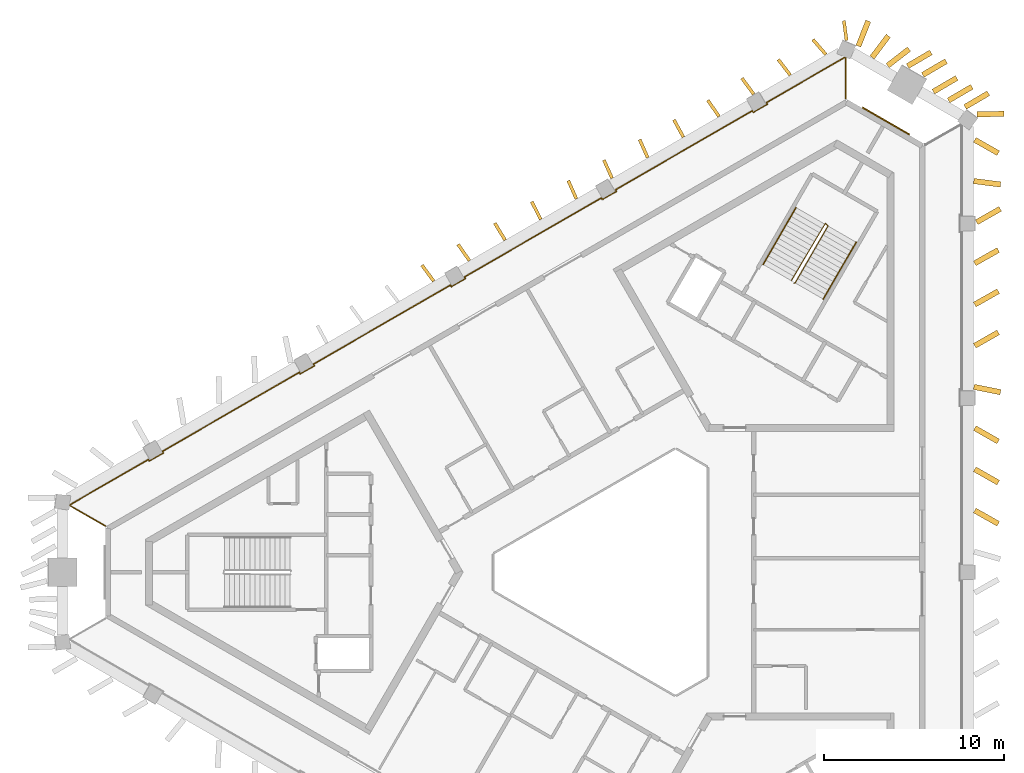
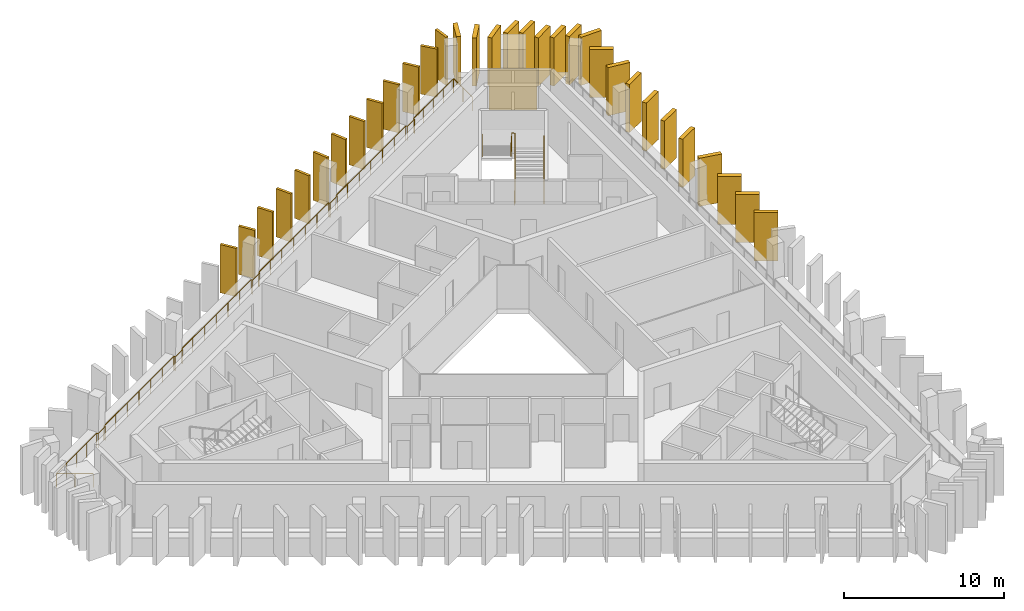
# One storey, part 9 of 9: 32 shading devices, 4 railings, 1 covering.
"""IFC4 building model written with IfcOpenShell, lengths in metres."""

from ifc_helpers import new_model, si_unit, direction, frame, frame_2d, origin, origin_2d, place, context, subcontext, project, spatial, rectangle, circle, extrude, material, layer, layer_set, type_object, element, save


model = new_model("IFC4")

# Units and contexts
model_context = context("Model", 3, precision=1e-05, world=origin(), true_north=direction((0.0, 1.0)))
body_context = subcontext(model_context, "Body", "Model", "MODEL_VIEW")
ifc_project = project(units=[si_unit("LENGTHUNIT", "METRE"), si_unit("AREAUNIT", "SQUARE_METRE"), si_unit("VOLUMEUNIT", "CUBIC_METRE"), si_unit("PLANEANGLEUNIT", "RADIAN"), si_unit("MASSUNIT", "GRAM", prefix="KILO")], contexts=[model_context])

# Site, building, storey
site_placement = place(None, origin())
site = spatial("IfcSite", under=ifc_project, at=site_placement, CompositionType="ELEMENT")
building_placement = place(site_placement, origin())
building = spatial("IfcBuilding", under=site, at=building_placement, Name="Jabali Bay Hotel Tower and Convention Centre", CompositionType="ELEMENT")
storey_placement = place(building_placement, frame((0.0, 0.0, 281.199951171875)))
storey = spatial("IfcBuildingStorey", under=building, at=storey_placement, Name="L69", CompositionType="ELEMENT", Elevation=281.199951171875)

# Railing
ifc_material_1 = material(Name="Glass", Category="glass")
railing_type_1 = type_object("IfcRailingType", Name="Loggia glass guard 1100", PredefinedType="BALUSTRADE", material=ifc_material_1)
railing_1_placement = place(storey_placement, frame((46.177978515625, 82.560546875, 0.0)))
element("IfcRailing", 1, at=railing_1_placement, inside=storey, type_object=railing_type_1, Name="Loggia glass guard L69", PredefinedType="BALUSTRADE", context=body_context, shape_type="SweptSolid", body=[
    extrude(circle(Radius=0.02490234375, at=origin_2d()), frame((0.0, 0.0, 1.0751953125), z_axis=(-0.865989003036, 0.500063042646, 0.0), x_axis=(-0.495784933994, -0.858580347067, 0.13052619222)), (0.0, 0.0, 1.0), 2.275146484375),
    extrude(circle(Radius=0.02490234375, at=origin_2d()), frame((-1.97021484375, 1.1376953125, 1.0751953125), z_axis=(0.124843395554, 0.9921764594, 0.0), x_axis=(-0.983688252248, 0.123775342998, 0.13052619222)), (0.0, 0.0, 1.0), 0.037109375),
    extrude(circle(Radius=0.02490234375, at=origin_2d()), frame((-1.965576171875, 1.174560546875, 1.0751953125), z_axis=(0.866030183273, 0.499991721592, 0.0), x_axis=(-0.495714223102, 0.858621175, 0.13052619222)), (0.0, 0.0, 1.0), 5.02294921875),
    extrude(circle(Radius=0.02490234375, at=origin_2d()), frame((2.384521484375, 3.68603515625, 1.0751953125), z_axis=(0.501132629342, -0.865370491644, 0.0), x_axis=(0.857967127125, 0.496845370228, 0.13052619222)), (0.0, 0.0, 1.0), 0.099853515625),
    extrude(circle(Radius=0.02490234375, at=origin_2d()), frame((2.4345703125, 3.599609375, 1.0751953125), z_axis=(0.866013897511, 0.50001992892, 0.0), x_axis=(-0.495742189112, 0.858605028566, 0.13052619222)), (0.0, 0.0, 1.0), 0.89990234375),
    extrude(circle(Radius=0.02490234375, at=origin_2d()), frame((3.2138671875, 4.049560546875, 1.0751953125), z_axis=(-0.4982416694, 0.867038199201, 0.0), x_axis=(-0.859620567213, -0.493979142849, 0.13052619222)), (0.0, 0.0, 1.0), 0.099853515625),
    extrude(circle(Radius=0.02490234375, at=origin_2d()), frame((3.1640625, 4.13623046875, 1.0751953125), z_axis=(0.86602919656, 0.499993430662, 0.0), x_axis=(-0.495715917551, 0.858620196729, 0.13052619222)), (0.0, 0.0, 1.0), 8.7607421875),
    extrude(circle(Radius=0.02490234375, at=origin_2d()), frame((10.751220703125, 8.5166015625, 1.0751953125), z_axis=(0.501132629342, -0.865370491644, 0.0), x_axis=(0.857967127125, 0.496845370228, 0.13052619222)), (0.0, 0.0, 1.0), 0.099853515625),
    extrude(circle(Radius=0.02490234375, at=origin_2d()), frame((10.80126953125, 8.43017578125, 1.0751953125), z_axis=(0.866081705922, 0.499902469156, 0.0), x_axis=(-0.495625734232, 0.858672256866, 0.13052619222)), (0.0, 0.0, 1.0), 0.900146484375),
    extrude(circle(Radius=0.02490234375, at=origin_2d()), frame((11.580810546875, 8.880126953125, 1.0751953125), z_axis=(-0.500074377092, 0.865982457891, 0.0), x_axis=(-0.858573857916, -0.495796171473, 0.13052619222)), (0.0, 0.0, 1.0), 0.10009765625),
    extrude(circle(Radius=0.02490234375, at=origin_2d()), frame((11.53076171875, 8.966796875, 1.0751953125), z_axis=(0.86602919656, 0.499993430662, 0.0), x_axis=(-0.495715917551, 0.858620196729, 0.13052619222)), (0.0, 0.0, 1.0), 8.7607421875),
    extrude(circle(Radius=0.02490234375, at=origin_2d()), frame((19.117919921875, 13.34716796875, 1.0751953125), z_axis=(0.501132629342, -0.865370491644, 0.0), x_axis=(0.857967127125, 0.496845370228, 0.13052619222)), (0.0, 0.0, 1.0), 0.099853515625),
    extrude(circle(Radius=0.02490234375, at=origin_2d()), frame((19.16796875, 13.2607421875, 1.0751953125), z_axis=(0.866081705922, 0.499902469156, 0.0), x_axis=(-0.495625734232, 0.858672256866, 0.13052619222)), (0.0, 0.0, 1.0), 0.900146484375),
    extrude(circle(Radius=0.02490234375, at=origin_2d()), frame((19.947509765625, 13.710693359375, 1.0751953125), z_axis=(-0.501132629342, 0.865370491644, 0.0), x_axis=(-0.857967127125, -0.496845370228, 0.13052619222)), (0.0, 0.0, 1.0), 0.099853515625),
    extrude(circle(Radius=0.02490234375, at=origin_2d()), frame((19.8974609375, 13.797119140625, 1.0751953125), z_axis=(0.866024096579, 0.500002264139, 0.0), x_axis=(-0.495724675456, 0.858615140379, 0.13052619222)), (0.0, 0.0, 1.0), 8.76123046875),
    extrude(circle(Radius=0.02490234375, at=origin_2d()), frame((27.48486328125, 18.177734375, 1.0751953125), z_axis=(0.4982416694, -0.867038199201, 0.0), x_axis=(0.859620567213, 0.493979142849, 0.13052619222)), (0.0, 0.0, 1.0), 0.099853515625),
    extrude(circle(Radius=0.02490234375, at=origin_2d()), frame((27.53466796875, 18.091064453125, 1.0751953125), z_axis=(0.865964261186, 0.500105887137, 0.0), x_axis=(-0.495827411944, 0.858555816886, 0.13052619222)), (0.0, 0.0, 1.0), 0.900146484375),
    extrude(circle(Radius=0.02490234375, at=origin_2d()), frame((28.314208984375, 18.541259765625, 1.0751953125), z_axis=(-0.501132629342, 0.865370491644, 0.0), x_axis=(-0.857967127125, -0.496845370228, 0.13052619222)), (0.0, 0.0, 1.0), 0.099853515625),
    extrude(circle(Radius=0.02490234375, at=origin_2d()), frame((28.26416015625, 18.627685546875, 1.0751953125), z_axis=(0.866024096579, 0.500002264139, 0.0), x_axis=(-0.495724675456, 0.858615140379, 0.13052619222)), (0.0, 0.0, 1.0), 8.76123046875),
    extrude(circle(Radius=0.02490234375, at=origin_2d()), frame((35.8515625, 23.00830078125, 1.0751953125), z_axis=(0.500074377092, -0.865982457891, 0.0), x_axis=(0.858573857916, 0.495796171473, 0.13052619222)), (0.0, 0.0, 1.0), 0.10009765625),
    extrude(circle(Radius=0.02490234375, at=origin_2d()), frame((35.901611328125, 22.921630859375, 1.0751953125), z_axis=(0.865896406789, 0.500223362819, 0.0), x_axis=(-0.495943882606, 0.858488542993, 0.13052619222)), (0.0, 0.0, 1.0), 0.89990234375),
    extrude(circle(Radius=0.02490234375, at=origin_2d()), frame((36.680908203125, 23.371826171875, 1.0751953125), z_axis=(-0.501132629342, 0.865370491644, 0.0), x_axis=(-0.857967127125, -0.496845370228, 0.13052619222)), (0.0, 0.0, 1.0), 0.099853515625),
    extrude(circle(Radius=0.02490234375, at=origin_2d()), frame((36.630859375, 23.458251953125, 1.0751953125), z_axis=(0.866030183273, 0.499991721592, 0.0), x_axis=(-0.495714223102, 0.858621175, 0.13052619222)), (0.0, 0.0, 1.0), 5.02294921875),
    extrude(circle(Radius=0.02490234375, at=origin_2d()), frame((40.98095703125, 25.9697265625, 1.0751953125), z_axis=(0.922495174035, -0.386008618922, 0.0), x_axis=(0.382706261677, 0.914603099939, 0.13052619222)), (0.0, 0.0, 1.0), 0.037353515625),
    extrude(circle(Radius=0.02490234375, at=origin_2d()), frame((41.015380859375, 25.955322265625, 1.0751953125), z_axis=(0.0, -1.0, 0.0), x_axis=(0.991444861374, 0.0, 0.13052619222)), (0.0, 0.0, 1.0), 2.275146484375),
    extrude(circle(Radius=0.02001953125, at=origin_2d()), origin(), (0.0, 0.0, 1.0), 1.050048828125),
    extrude(circle(Radius=0.02001953125, at=origin_2d()), frame((-0.985107421875, 0.56884765625, 0.0)), (0.0, 0.0, 1.0), 1.050048828125),
    extrude(circle(Radius=0.02001953125, at=origin_2d()), frame((-1.97021484375, 1.1376953125, 0.0)), (0.0, 0.0, 1.0), 1.050048828125),
    extrude(circle(Radius=0.02001953125, at=origin_2d()), frame((-1.965576171875, 1.174560546875, 0.0)), (0.0, 0.0, 1.0), 1.050048828125),
    extrude(circle(Radius=0.02001953125, at=origin_2d()), frame((-0.8779296875, 1.802490234375, 0.0)), (0.0, 0.0, 1.0), 1.050048828125),
    extrude(circle(Radius=0.02001953125, at=origin_2d()), frame((0.20947265625, 2.43017578125, 0.0)), (0.0, 0.0, 1.0), 1.050048828125),
    extrude(circle(Radius=0.02001953125, at=origin_2d()), frame((1.296875, 3.05810546875, 0.0)), (0.0, 0.0, 1.0), 1.050048828125),
    extrude(circle(Radius=0.02001953125, at=origin_2d()), frame((2.384521484375, 3.68603515625, 0.0)), (0.0, 0.0, 1.0), 1.050048828125),
    extrude(circle(Radius=0.02001953125, at=origin_2d()), frame((2.4345703125, 3.599609375, 0.0)), (0.0, 0.0, 1.0), 1.050048828125),
    extrude(circle(Radius=0.02001953125, at=origin_2d()), frame((3.2138671875, 4.049560546875, 0.0)), (0.0, 0.0, 1.0), 1.050048828125),
    extrude(circle(Radius=0.02001953125, at=origin_2d()), frame((3.1640625, 4.13623046875, 0.0)), (0.0, 0.0, 1.0), 1.050048828125),
    extrude(circle(Radius=0.02001953125, at=origin_2d()), frame((4.4287109375, 4.8662109375, 0.0)), (0.0, 0.0, 1.0), 1.050048828125),
    extrude(circle(Radius=0.02001953125, at=origin_2d()), frame((5.693115234375, 5.596435546875, 0.0)), (0.0, 0.0, 1.0), 1.050048828125),
    extrude(circle(Radius=0.02001953125, at=origin_2d()), frame((6.95751953125, 6.326416015625, 0.0)), (0.0, 0.0, 1.0), 1.050048828125),
    extrude(circle(Radius=0.02001953125, at=origin_2d()), frame((8.22216796875, 7.056396484375, 0.0)), (0.0, 0.0, 1.0), 1.050048828125),
    extrude(circle(Radius=0.02001953125, at=origin_2d()), frame((9.48681640625, 7.78662109375, 0.0)), (0.0, 0.0, 1.0), 1.050048828125),
    extrude(circle(Radius=0.02001953125, at=origin_2d()), frame((10.751220703125, 8.5166015625, 0.0)), (0.0, 0.0, 1.0), 1.050048828125),
    extrude(circle(Radius=0.02001953125, at=origin_2d()), frame((10.80126953125, 8.43017578125, 0.0)), (0.0, 0.0, 1.0), 1.050048828125),
    extrude(circle(Radius=0.02001953125, at=origin_2d()), frame((11.580810546875, 8.880126953125, 0.0)), (0.0, 0.0, 1.0), 1.050048828125),
    extrude(circle(Radius=0.02001953125, at=origin_2d()), frame((11.53076171875, 8.966796875, 0.0)), (0.0, 0.0, 1.0), 1.050048828125),
    extrude(circle(Radius=0.02001953125, at=origin_2d()), frame((12.79541015625, 9.69677734375, 0.0)), (0.0, 0.0, 1.0), 1.050048828125),
    extrude(circle(Radius=0.02001953125, at=origin_2d()), frame((14.059814453125, 10.427001953125, 0.0)), (0.0, 0.0, 1.0), 1.050048828125),
    extrude(circle(Radius=0.02001953125, at=origin_2d()), frame((15.32421875, 11.156982421875, 0.0)), (0.0, 0.0, 1.0), 1.050048828125),
    extrude(circle(Radius=0.02001953125, at=origin_2d()), frame((16.5888671875, 11.886962890625, 0.0)), (0.0, 0.0, 1.0), 1.050048828125),
    extrude(circle(Radius=0.02001953125, at=origin_2d()), frame((17.853515625, 12.6171875, 0.0)), (0.0, 0.0, 1.0), 1.050048828125),
    extrude(circle(Radius=0.02001953125, at=origin_2d()), frame((19.117919921875, 13.34716796875, 0.0)), (0.0, 0.0, 1.0), 1.050048828125),
    extrude(circle(Radius=0.02001953125, at=origin_2d()), frame((19.16796875, 13.2607421875, 0.0)), (0.0, 0.0, 1.0), 1.050048828125),
    extrude(circle(Radius=0.02001953125, at=origin_2d()), frame((19.947509765625, 13.710693359375, 0.0)), (0.0, 0.0, 1.0), 1.050048828125),
    extrude(circle(Radius=0.02001953125, at=origin_2d()), frame((19.8974609375, 13.797119140625, 0.0)), (0.0, 0.0, 1.0), 1.050048828125),
    extrude(circle(Radius=0.02001953125, at=origin_2d()), frame((21.162109375, 14.52734375, 0.0)), (0.0, 0.0, 1.0), 1.050048828125),
    extrude(circle(Radius=0.02001953125, at=origin_2d()), frame((22.426513671875, 15.25732421875, 0.0)), (0.0, 0.0, 1.0), 1.050048828125),
    extrude(circle(Radius=0.02001953125, at=origin_2d()), frame((23.691162109375, 15.9873046875, 0.0)), (0.0, 0.0, 1.0), 1.050048828125),
    extrude(circle(Radius=0.02001953125, at=origin_2d()), frame((24.955810546875, 16.717529296875, 0.0)), (0.0, 0.0, 1.0), 1.050048828125),
    extrude(circle(Radius=0.02001953125, at=origin_2d()), frame((26.22021484375, 17.44775390625, 0.0)), (0.0, 0.0, 1.0), 1.050048828125),
    extrude(circle(Radius=0.02001953125, at=origin_2d()), frame((27.48486328125, 18.177734375, 0.0)), (0.0, 0.0, 1.0), 1.050048828125),
    extrude(circle(Radius=0.02001953125, at=origin_2d()), frame((27.53466796875, 18.091064453125, 0.0)), (0.0, 0.0, 1.0), 1.050048828125),
    extrude(circle(Radius=0.02001953125, at=origin_2d()), frame((28.314208984375, 18.541259765625, 0.0)), (0.0, 0.0, 1.0), 1.050048828125),
    extrude(circle(Radius=0.02001953125, at=origin_2d()), frame((28.26416015625, 18.627685546875, 0.0)), (0.0, 0.0, 1.0), 1.050048828125),
    extrude(circle(Radius=0.02001953125, at=origin_2d()), frame((29.52880859375, 19.35791015625, 0.0)), (0.0, 0.0, 1.0), 1.050048828125),
    extrude(circle(Radius=0.02001953125, at=origin_2d()), frame((30.793212890625, 20.087890625, 0.0)), (0.0, 0.0, 1.0), 1.050048828125),
    extrude(circle(Radius=0.02001953125, at=origin_2d()), frame((32.057861328125, 20.81787109375, 0.0)), (0.0, 0.0, 1.0), 1.050048828125),
    extrude(circle(Radius=0.02001953125, at=origin_2d()), frame((33.322509765625, 21.548095703125, 0.0)), (0.0, 0.0, 1.0), 1.050048828125),
    extrude(circle(Radius=0.02001953125, at=origin_2d()), frame((34.5869140625, 22.2783203125, 0.0)), (0.0, 0.0, 1.0), 1.050048828125),
    extrude(circle(Radius=0.02001953125, at=origin_2d()), frame((35.8515625, 23.00830078125, 0.0)), (0.0, 0.0, 1.0), 1.050048828125),
    extrude(circle(Radius=0.02001953125, at=origin_2d()), frame((35.901611328125, 22.921630859375, 0.0)), (0.0, 0.0, 1.0), 1.050048828125),
    extrude(circle(Radius=0.02001953125, at=origin_2d()), frame((36.680908203125, 23.371826171875, 0.0)), (0.0, 0.0, 1.0), 1.050048828125),
    extrude(circle(Radius=0.02001953125, at=origin_2d()), frame((36.630859375, 23.458251953125, 0.0)), (0.0, 0.0, 1.0), 1.050048828125),
    extrude(circle(Radius=0.02001953125, at=origin_2d()), frame((37.71826171875, 24.086181640625, 0.0)), (0.0, 0.0, 1.0), 1.050048828125),
    extrude(circle(Radius=0.02001953125, at=origin_2d()), frame((38.805908203125, 24.7138671875, 0.0)), (0.0, 0.0, 1.0), 1.050048828125),
    extrude(circle(Radius=0.02001953125, at=origin_2d()), frame((39.8935546875, 25.341796875, 0.0)), (0.0, 0.0, 1.0), 1.050048828125),
    extrude(circle(Radius=0.02001953125, at=origin_2d()), frame((40.98095703125, 25.9697265625, 0.0)), (0.0, 0.0, 1.0), 1.050048828125),
    extrude(circle(Radius=0.02001953125, at=origin_2d()), frame((41.015380859375, 25.955322265625, 0.0)), (0.0, 0.0, 1.0), 1.050048828125),
    extrude(circle(Radius=0.02001953125, at=origin_2d()), frame((41.015380859375, 24.81787109375, 0.0)), (0.0, 0.0, 1.0), 1.050048828125),
    extrude(circle(Radius=0.02001953125, at=origin_2d()), frame((41.015380859375, 23.68017578125, 0.0)), (0.0, 0.0, 1.0), 1.050048828125),
])

# Shading devices
ifc_material_2 = material(Name="Precast concrete C60", Category="concrete")
ifc_layer_1 = layer(ifc_material_2, 0.179931640625)
ifc_layer_set_1 = layer_set([ifc_layer_1], Name="Precast concrete C60")
shading_device_type_1 = type_object("IfcShadingDeviceType", Name="Precast fin 3680 x 1100", PredefinedType="USERDEFINED", material=ifc_layer_set_1)
for number, where, z_axis, x_axis, name in (
    (2, (86.100830078125, 108.680908203125, 0.010009765625), (0.0, 0.0, 1.0), (-0.655403592265, 0.755278843372, 0.0), "Fin L69 030"),
    (3, (84.1279296875, 107.53564453125, 0.010009765625), (0.0, 0.0, 1.0), (-0.607853662024, 0.794049069997, 0.0), "Fin L69 031"),
    (4, (82.09912109375, 106.486572265625, 0.010009765625), (0.0, 0.0, 1.0), (-0.593267174379, 0.805005627188, 0.0), "Fin L69 032"),
):
    element("IfcShadingDevice", number, at=place(storey_placement, frame(where, z_axis=z_axis, x_axis=x_axis)), inside=storey, type_object=shading_device_type_1, Name=name, ObjectType="FIN", PredefinedType="USERDEFINED", context=body_context, shape_type="SweptSolid", body=[
        extrude(rectangle(XDim=1.10009765625, YDim=0.179931640625, at=frame_2d((0.550048828125, 0.0))), origin(), (0.0, 0.0, 1.0), 3.679931640625),
    ])
for number, where, z_axis, x_axis, name in (
    (5, (80.178466796875, 105.25048828125, 0.010009765625), (0.0, 0.0, 1.0), (-0.568655842982, 0.822575548045, 0.0), "Fin L69 033"),
    (6, (78.20556640625, 104.105224609375, 0.010009765625), (0.0, 0.0, 1.0), (-0.480981226833, 0.876730893396, 0.0), "Fin L69 034"),
):
    element("IfcShadingDevice", number, at=place(storey_placement, frame(where, z_axis=z_axis, x_axis=x_axis)), inside=storey, type_object=shading_device_type_1, Name=name, ObjectType="FIN", PredefinedType="USERDEFINED", context=body_context, shape_type="SweptSolid", body=[
        extrude(rectangle(XDim=1.099853515625, YDim=0.179931640625, at=frame_2d((0.5498046875, 0.0))), origin(), (0.0, 0.0, 1.0), 3.679931640625),
    ])
shading_device_1_placement = place(storey_placement, frame((76.22607421875, 102.970947265625, 0.010009765625), z_axis=(0.0, 0.0, 1.0), x_axis=(-0.407270764725, 0.91330746422, 0.0)))
element("IfcShadingDevice", 7, at=shading_device_1_placement, inside=storey, type_object=shading_device_type_1, Name="Fin L69 035", ObjectType="FIN", PredefinedType="USERDEFINED", context=body_context, shape_type="SweptSolid", body=[
    extrude(rectangle(XDim=1.10009765625, YDim=0.179931640625, at=frame_2d((0.550048828125, 0.0))), origin(), (0.0, 0.0, 1.0), 3.679931640625),
])
shading_device_2_placement = place(storey_placement, frame((74.25048828125, 101.830322265625, 0.010009765625), z_axis=(0.0, 0.0, 1.0), x_axis=(-0.407538464917, 0.91318804176, 0.0)))
element("IfcShadingDevice", 8, at=shading_device_2_placement, inside=storey, type_object=shading_device_type_1, Name="Fin L69 036", ObjectType="FIN", PredefinedType="USERDEFINED", context=body_context, shape_type="SweptSolid", body=[
    extrude(rectangle(XDim=1.099853515625, YDim=0.179931640625, at=frame_2d((0.5498046875, 0.0))), origin(), (0.0, 0.0, 1.0), 3.679931640625),
])
shading_device_3_placement = place(storey_placement, frame((72.27490234375, 100.689453125, 0.010009765625), z_axis=(0.0, 0.0, 1.0), x_axis=(-0.407640928047, 0.913142307519, 0.0)))
element("IfcShadingDevice", 9, at=shading_device_3_placement, inside=storey, type_object=shading_device_type_1, Name="Fin L69 037", ObjectType="FIN", PredefinedType="USERDEFINED", context=body_context, shape_type="SweptSolid", body=[
    extrude(rectangle(XDim=1.10009765625, YDim=0.179931640625, at=frame_2d((0.550048828125, 0.0))), origin(), (0.0, 0.0, 1.0), 3.679931640625),
])
for number, where, z_axis, x_axis, name in (
    (10, (70.30126953125, 99.545166015625, 0.010009765625), (0.0, 0.0, 1.0), (-0.451912983689, 0.892062024286, 0.0), "Fin L69 038"),
    (11, (68.326904296875, 98.40185546875, 0.010009765625), (0.0, 0.0, 1.0), (-0.520066650422, 0.854125681103, 0.0), "Fin L69 039"),
):
    element("IfcShadingDevice", number, at=place(storey_placement, frame(where, z_axis=z_axis, x_axis=x_axis)), inside=storey, type_object=shading_device_type_1, Name=name, ObjectType="FIN", PredefinedType="USERDEFINED", context=body_context, shape_type="SweptSolid", body=[
        extrude(rectangle(XDim=1.099853515625, YDim=0.179931640625, at=frame_2d((0.5498046875, 0.0))), origin(), (0.0, 0.0, 1.0), 3.679931640625),
    ])
for number, where, z_axis, x_axis, name in (
    (12, (66.348388671875, 97.266357421875, 0.010009765625), (0.0, 0.0, 1.0), (-0.574817014027, 0.818281980973, 0.0), "Fin L69 040"),
    (13, (64.37158203125, 96.12744140625, 0.010009765625), (0.0, 0.0, 1.0), (-0.593267174379, 0.805005627188, 0.0), "Fin L69 041"),
):
    element("IfcShadingDevice", number, at=place(storey_placement, frame(where, z_axis=z_axis, x_axis=x_axis)), inside=storey, type_object=shading_device_type_1, Name=name, ObjectType="FIN", PredefinedType="USERDEFINED", context=body_context, shape_type="SweptSolid", body=[
        extrude(rectangle(XDim=1.10009765625, YDim=0.179931640625, at=frame_2d((0.550048828125, 0.0))), origin(), (0.0, 0.0, 1.0), 3.679931640625),
    ])
shading_device_4_placement = place(storey_placement, frame((87.243408203125, 109.466796875, 0.010009765625), z_axis=(0.0, 0.0, 1.0), x_axis=(-0.133805989812, 0.991007546435, 0.0)))
element("IfcShadingDevice", 14, at=shading_device_4_placement, inside=storey, type_object=shading_device_type_1, Name="Fin L69 092", ObjectType="FIN", PredefinedType="USERDEFINED", context=body_context, shape_type="SweptSolid", body=[
    extrude(rectangle(XDim=1.100341796875, YDim=0.179931640625, at=frame_2d((0.55029296875, 0.0))), origin(), (0.0, 0.0, 1.0), 3.679931640625),
])
ifc_layer_2 = layer(ifc_material_2, 0.300048828125)
ifc_layer_set_2 = layer_set([ifc_layer_2], Name="Precast concrete C60")
shading_device_type_2 = type_object("IfcShadingDeviceType", Name="Precast fin 3680 x 1500", PredefinedType="USERDEFINED", material=ifc_layer_set_2)
for number, where, z_axis, x_axis, name in (
    (15, (94.344970703125, 83.422119140625, 0.010009765625), (0.0, 0.0, 1.0), (0.86976143765, -0.493472432439, 0.0), "Fin L69 012"),
    (16, (94.344970703125, 85.703369140625, 0.010009765625), (0.0, 0.0, 1.0), (0.869831289423, -0.493349296078, 0.0), "Fin L69 013"),
    (17, (94.344970703125, 87.984619140625, 0.010009765625), (0.0, 0.0, 1.0), (0.869831289423, -0.493349296078, 0.0), "Fin L69 014"),
):
    element("IfcShadingDevice", number, at=place(storey_placement, frame(where, z_axis=z_axis, x_axis=x_axis)), inside=storey, type_object=shading_device_type_2, Name=name, ObjectType="FIN", PredefinedType="USERDEFINED", context=body_context, shape_type="SweptSolid", body=[
        extrude(rectangle(XDim=1.5, YDim=0.300048828125, at=frame_2d((0.75, 0.0))), origin(), (0.0, 0.0, 1.0), 3.679931640625),
    ])
shading_device_5_placement = place(storey_placement, frame((94.30029296875, 90.26611328125, 0.010009765625), z_axis=(0.0, 0.0, 1.0), x_axis=(0.980549365746, -0.196272619932, 0.0)))
element("IfcShadingDevice", 18, at=shading_device_5_placement, inside=storey, type_object=shading_device_type_2, Name="Fin L69 015", ObjectType="FIN", PredefinedType="USERDEFINED", context=body_context, shape_type="SweptSolid", body=[
    extrude(rectangle(XDim=1.500244140625, YDim=0.300048828125, at=frame_2d((0.75, 0.0))), origin(), (0.0, 0.0, 1.0), 3.679931640625),
])
for number, where, z_axis, x_axis, name in (
    (19, (94.344970703125, 92.54736328125, 0.010009765625), (0.0, 0.0, 1.0), (0.869831289423, 0.493349296078, 0.0), "Fin L69 016"),
    (20, (94.344970703125, 94.82861328125, 0.010009765625), (0.0, 0.0, 1.0), (0.869831289423, 0.493349296078, 0.0), "Fin L69 017"),
    (21, (94.344970703125, 97.110107421875, 0.010009765625), (0.0, 0.0, 1.0), (0.869831289423, 0.493349296078, 0.0), "Fin L69 018"),
    (22, (94.452392578125, 99.391357421875, 0.010009765625), (0.0, 0.0, 1.0), (0.869831289423, 0.493349296078, 0.0), "Fin L69 019"),
    (23, (94.290283203125, 101.672607421875, 0.010009765625), (0.0, 0.0, 1.0), (0.991740506295, -0.128260547999, 0.0), "Fin L69 020"),
    (24, (94.3447265625, 103.9541015625, 0.010009765625), (0.0, 0.0, 1.0), (0.870477944406, -0.492207424062, 0.0), "Fin L69 021"),
    (25, (93.810546875, 105.77587890625, 0.010009765625), (0.0, 0.0, 1.0), (0.862210257959, 0.506550561218, 0.0), "Fin L69 022"),
    (26, (92.89599609375, 106.13623046875, 0.010009765625), (0.0, 0.0, 1.0), (0.862139163582, 0.506671552998, 0.0), "Fin L69 023"),
    (27, (92.05419921875, 106.622314453125, 0.010009765625), (0.0, 0.0, 1.0), (0.862139163582, 0.506671552998, 0.0), "Fin L69 024"),
    (28, (91.46875, 107.552490234375, 0.010009765625), (0.0, 0.0, 1.0), (0.862210257959, 0.506550561218, 0.0), "Fin L69 025"),
    (29, (90.626708984375, 108.03857421875, 0.010009765625), (0.0, 0.0, 1.0), (0.862210257959, 0.506550561218, 0.0), "Fin L69 026"),
    (30, (89.52001953125, 108.065673828125, 0.010009765625), (0.0, 0.0, 1.0), (0.790866011316, 0.611989339895, 0.0), "Fin L69 027"),
    (31, (88.65869140625, 108.518310546875, 0.010009765625), (0.0, 0.0, 1.0), (0.601561352614, 0.798826601361, 0.0), "Fin L69 028"),
    (32, (87.897705078125, 109.14453125, 0.010009765625), (0.0, 0.0, 1.0), (0.368329862362, 0.929695171813, 0.0), "Fin L69 029"),
    (33, (94.4658203125, 105.3759765625, 0.010009765625), (0.0, 0.0, 1.0), (0.999942307697, 0.010741567758, 0.0), "Fin L69 091"),
):
    element("IfcShadingDevice", number, at=place(storey_placement, frame(where, z_axis=z_axis, x_axis=x_axis)), inside=storey, type_object=shading_device_type_2, Name=name, ObjectType="FIN", PredefinedType="USERDEFINED", context=body_context, shape_type="SweptSolid", body=[
        extrude(rectangle(XDim=1.5, YDim=0.300048828125, at=frame_2d((0.75, 0.0))), origin(), (0.0, 0.0, 1.0), 3.679931640625),
    ])

# Covering
ifc_material_3 = material(Name="Precast concrete C40/50", Category="concrete")
ifc_layer_3 = layer(ifc_material_3, 0.080078125)
ifc_layer_set_3 = layer_set([ifc_layer_3], Name="Precast concrete C40/50")
covering_type = type_object("IfcCoveringType", Name="Relief panel 3000 x 3100", PredefinedType="CLADDING", material=ifc_layer_set_3)
covering_placement = place(storey_placement, frame((89.430908203125, 104.9951171875, 0.10009765625), z_axis=(0.0, 0.0, 1.0), x_axis=(0.866025409055, -0.499999990871, 0.0)))
element("IfcCovering", 34, at=covering_placement, inside=storey, type_object=covering_type, Name="Relief panel L69", PredefinedType="CLADDING", context=body_context, shape_type="SweptSolid", body=[
    extrude(rectangle(XDim=3.0, YDim=0.080078125, at=origin_2d()), origin(), (0.0, 0.0, 1.0), 3.10009765625),
])

# Railings
ifc_material_4 = material(Name="Steel Q355B", Category="steel")
railing_type_2 = type_object("IfcRailingType", Name="Stair guard 1100", PredefinedType="GUARDRAIL", material=ifc_material_4)
railing_2_placement = place(storey_placement, frame((84.329833984375, 96.010009765625, 0.0)))
element("IfcRailing", 35, at=railing_2_placement, inside=storey, type_object=railing_type_2, Name="L69 ST2 stair guard 1", PredefinedType="GUARDRAIL", context=body_context, shape_type="SweptSolid", body=[
    extrude(circle(Radius=0.02392578125, at=origin_2d()), frame((0.0, 0.0, 1.076171875), z_axis=(0.456201556387, 0.122196845461, 0.881446578591), x_axis=(-0.258736085224, 0.965948051503, 0.0)), (0.0, 0.0, 1.0), 0.14990234375),
    extrude(circle(Radius=0.02392578125, at=origin_2d()), frame((0.068359375, 0.018310546875, 1.2080078125), z_axis=(0.45217862506, 0.783169739339, 0.426825081763), x_axis=(-0.866018046521, 0.500012742938, 0.0)), (0.0, 0.0, 1.0), 4.025146484375),
    extrude(circle(Radius=0.02392578125, at=origin_2d()), frame((1.888427734375, 3.170654296875, 2.92626953125), z_axis=(-0.718850276695, 0.695164929852, 0.0), x_axis=(-0.695164929852, -0.718850276695, 0.0)), (0.0, 0.0, 1.0), 0.2060546875),
    extrude(circle(Radius=0.02392578125, at=origin_2d()), frame((1.740234375, 3.31396484375, 2.92626953125), z_axis=(-0.457457462341, -0.768067235091, 0.448113147015), x_axis=(0.859157857954, -0.511710636118, 0.0)), (0.0, 0.0, 1.0), 4.128173828125),
    extrude(circle(Radius=0.02099609375, at=origin_2d()), origin(), (0.0, 0.0, 1.0), 1.052001953125),
    extrude(circle(Radius=0.02099609375, at=origin_2d()), frame((0.068359375, 0.018310546875, 0.132080078125)), (0.0, 0.0, 1.0), 1.052001953125),
    extrude(circle(Radius=0.02099609375, at=origin_2d()), frame((0.5234375, 0.806396484375, 0.5615234375)), (0.0, 0.0, 1.0), 1.052001953125),
    extrude(circle(Radius=0.02099609375, at=origin_2d()), frame((0.978515625, 1.594482421875, 0.9912109375)), (0.0, 0.0, 1.0), 1.052001953125),
    extrude(circle(Radius=0.02099609375, at=origin_2d()), frame((1.433349609375, 2.382568359375, 1.420654296875)), (0.0, 0.0, 1.0), 1.052001953125),
    extrude(circle(Radius=0.02099609375, at=origin_2d()), frame((1.888427734375, 3.170654296875, 1.85009765625)), (0.0, 0.0, 1.0), 1.052001953125),
    extrude(circle(Radius=0.02099609375, at=origin_2d()), frame((1.740234375, 3.31396484375, 1.85009765625)), (0.0, 0.0, 1.0), 1.052001953125),
    extrude(circle(Radius=0.02099609375, at=origin_2d()), frame((1.26806640625, 2.521240234375, 2.3125)), (0.0, 0.0, 1.0), 1.052001953125),
    extrude(circle(Radius=0.02099609375, at=origin_2d()), frame((0.7958984375, 1.728515625, 2.77490234375)), (0.0, 0.0, 1.0), 1.052001953125),
    extrude(circle(Radius=0.02099609375, at=origin_2d()), frame((0.323974609375, 0.93603515625, 3.237548828125)), (0.0, 0.0, 1.0), 1.052001953125),
    extrude(circle(Radius=0.02099609375, at=origin_2d()), frame((-0.148193359375, 0.143310546875, 3.699951171875)), (0.0, 0.0, 1.0), 1.052001953125),
])
railing_type_3 = type_object("IfcRailingType", Name="Stair handrail 900", PredefinedType="HANDRAIL", material=ifc_material_4)
railing_3_placement = place(storey_placement, frame((85.95703125, 95.128173828125, 0.132080078125)))
element("IfcRailing", 36, at=railing_3_placement, inside=storey, type_object=railing_type_3, Name="L69 ST2 stair handrail 1", PredefinedType="HANDRAIL", context=body_context, shape_type="SweptSolid", body=[
    extrude(circle(Radius=0.02392578125, at=origin_2d()), frame((0.0, 0.0, 0.8759765625), z_axis=(0.45217862506, 0.783169739339, 0.426825081763), x_axis=(-0.866018046521, 0.500012742938, 0.0)), (0.0, 0.0, 1.0), 4.025146484375),
    extrude(circle(Radius=0.02099609375, at=origin_2d()), origin(), (0.0, 0.0, 1.0), 0.851806640625),
    extrude(circle(Radius=0.02099609375, at=origin_2d()), frame((0.455078125, 0.7880859375, 0.429443359375)), (0.0, 0.0, 1.0), 0.851806640625),
    extrude(circle(Radius=0.02099609375, at=origin_2d()), frame((0.91015625, 1.576171875, 0.85888671875)), (0.0, 0.0, 1.0), 0.851806640625),
    extrude(circle(Radius=0.02099609375, at=origin_2d()), frame((1.364990234375, 2.3642578125, 1.28857421875)), (0.0, 0.0, 1.0), 0.851806640625),
    extrude(circle(Radius=0.02099609375, at=origin_2d()), frame((1.820068359375, 3.15234375, 1.718017578125)), (0.0, 0.0, 1.0), 0.851806640625),
])
railing_4_placement = place(storey_placement, frame((84.44287109375, 100.20556640625, 1.982177734375)))
element("IfcRailing", 37, at=railing_4_placement, inside=storey, type_object=railing_type_3, Name="L69 ST2 stair handrail 2", PredefinedType="HANDRAIL", context=body_context, shape_type="SweptSolid", body=[
    extrude(circle(Radius=0.02392578125, at=origin_2d()), frame((0.0, 0.0, 0.8759765625), z_axis=(-0.452190331055, -0.783190014029, 0.426775475427), x_axis=(0.866018046521, -0.500012742938, 0.0)), (0.0, 0.0, 1.0), 4.02490234375),
    extrude(circle(Radius=0.02099609375, at=origin_2d()), origin(), (0.0, 0.0, 1.0), 0.851806640625),
    extrude(circle(Radius=0.02099609375, at=origin_2d()), frame((-0.455078125, -0.7880859375, 0.429443359375)), (0.0, 0.0, 1.0), 0.851806640625),
    extrude(circle(Radius=0.02099609375, at=origin_2d()), frame((-0.91015625, -1.576171875, 0.85888671875)), (0.0, 0.0, 1.0), 0.851806640625),
    extrude(circle(Radius=0.02099609375, at=origin_2d()), frame((-1.364990234375, -2.3642578125, 1.288330078125)), (0.0, 0.0, 1.0), 0.851806640625),
    extrude(circle(Radius=0.02099609375, at=origin_2d()), frame((-1.820068359375, -3.15234375, 1.7177734375)), (0.0, 0.0, 1.0), 0.851806640625),
])

save(model, "model.ifc")
